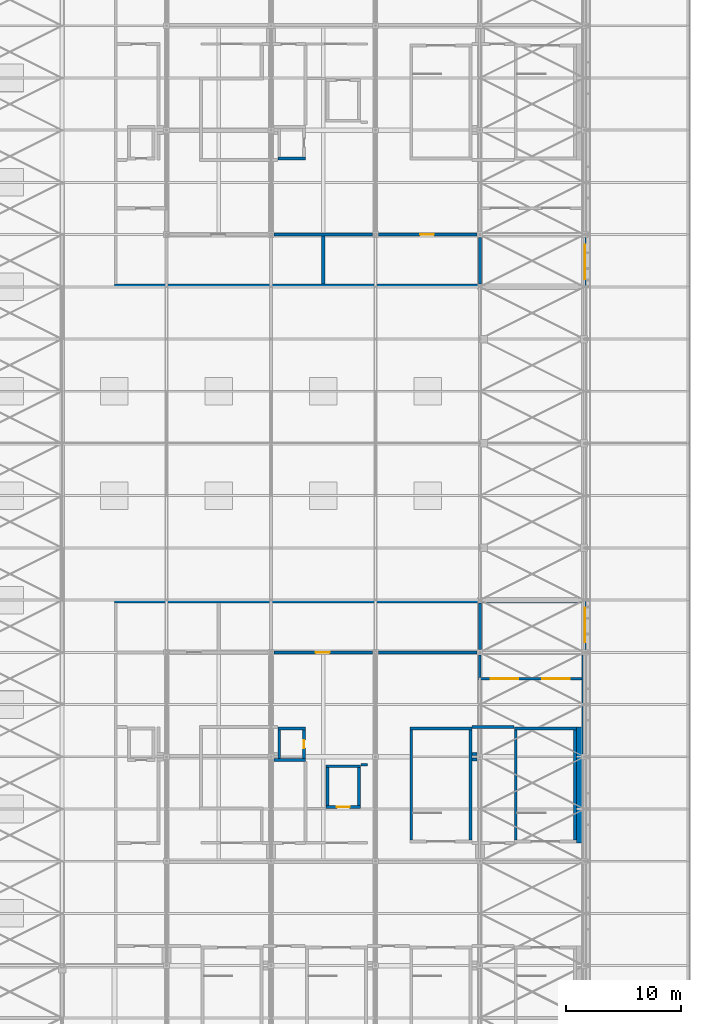
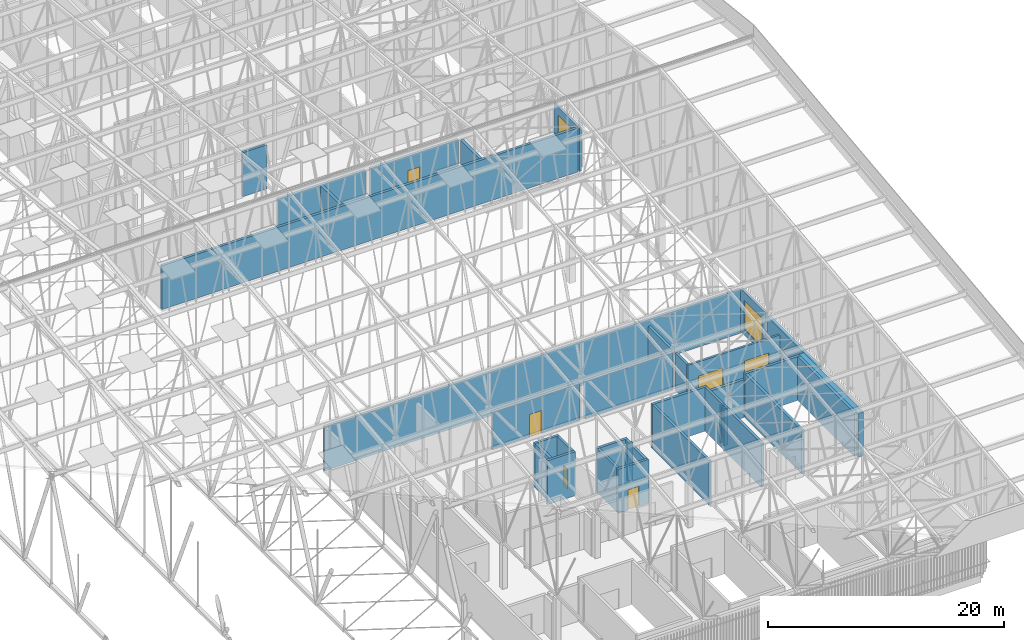
# One storey, part 436 of 500: 34 walls, 6 doors, 2 windows, 8 openings.
"""IFC4 building model written with IfcOpenShell, lengths in metres."""

from ifc_helpers import new_model, si_unit, direction, frame, frame_2d, origin, place, context, subcontext, project, spatial, rectangle, extrude, material, layer, layer_set, type_object, element, fill, save


model = new_model("IFC4")

# Units and contexts
model_context = context("Model", 3, precision=1e-05, world=origin(), true_north=direction((0.0, 1.0)))
body_context = subcontext(model_context, "Body", "Model", "MODEL_VIEW")
ifc_project = project(units=[si_unit("LENGTHUNIT", "METRE"), si_unit("AREAUNIT", "SQUARE_METRE"), si_unit("VOLUMEUNIT", "CUBIC_METRE"), si_unit("PLANEANGLEUNIT", "RADIAN"), si_unit("MASSUNIT", "GRAM", prefix="KILO")], contexts=[model_context])

# Site, building, storey
site_placement = place(None, origin())
site = spatial("IfcSite", under=ifc_project, at=site_placement, CompositionType="ELEMENT")
building_placement = place(site_placement, origin())
building = spatial("IfcBuilding", under=site, at=building_placement, Name="Shirokan Park Arena", CompositionType="ELEMENT")
storey_placement = place(building_placement, frame((0.0, 0.0, 29.1201171875)))
storey = spatial("IfcBuildingStorey", under=building, at=storey_placement, Name="L06", CompositionType="ELEMENT", Elevation=29.1201171875)

# Wall
ifc_material_1 = material(Name="Gypsum board")
ifc_layer_1 = layer(ifc_material_1, 0.02490234375, Name="Gypsum board, two layers")
ifc_material_2 = material(Name="Mineral wool insulation")
ifc_layer_2 = layer(ifc_material_2, 0.14990234375, Name="Mineral wool insulation")
ifc_layer_3 = layer(ifc_material_1, 0.02490234375, Name="Gypsum board, two layers")
ifc_layer_set_1 = layer_set([ifc_layer_1, ifc_layer_2, ifc_layer_3], Name="Gypsum board, two layers + Mineral wool insulation")
wall_type_1 = type_object("IfcWallType", Name="Corridor wall 200", PredefinedType="PARTITIONING", material=ifc_layer_set_1)
wall_1_placement = place(storey_placement, frame((126.1298828125, 26.60009765625, 0.0), z_axis=(0.0, 0.0, 1.0), x_axis=(1.0, 0.0, 0.0)))
element("IfcWall", 1, at=wall_1_placement, inside=storey, type_object=wall_type_1, Name="Corridor wall 200 L06", PredefinedType="PARTITIONING", context=body_context, shape_type="SweptSolid", body=[
    extrude(rectangle(XDim=0.570068359375, YDim=0.199951171875, at=frame_2d((0.28515625, 0.0))), origin(), (0.0, 0.0, 1.0), 3.8798828125),
])

# Wall, openings, doors
wall_2_placement = place(storey_placement, frame((136.39990234375, 34.10009765625, 0.0), z_axis=(0.0, 0.0, 1.0), x_axis=(1.0, 0.0, 0.0)))
wall_2 = element("IfcWall", 2, at=wall_2_placement, inside=storey, type_object=wall_type_1, Name="Corridor wall 200 L06", PredefinedType="PARTITIONING", context=body_context, shape_type="SweptSolid", body=[
    extrude(rectangle(XDim=9.0, YDim=0.199951171875, at=frame_2d((4.5, 0.0))), origin(), (0.0, 0.0, 1.0), 3.8798828125),
])
opening_1_placement = place(wall_2_placement, frame((1.050048828125, 0.0, 0.0)))
opening_1 = element("IfcOpeningElement", 3, at=opening_1_placement, cuts=wall_2, Name="Opening D-6048", PredefinedType="OPENING", context=body_context, shape_type="SweptSolid", body=[
    extrude(rectangle(XDim=2.39990234375, YDim=2.39990234375, at=frame_2d((1.199951171875, 1.199951171875))), frame((0.0, 0.10986328125, 0.0), z_axis=(0.0, -1.0, 0.0), x_axis=(1.0, 0.0, 0.0)), (0.0, 0.0, 1.0), 0.219970703125),
])
opening_2_placement = place(wall_2_placement, frame((5.550048828125, 0.0, 0.0)))
opening_2 = element("IfcOpeningElement", 4, at=opening_2_placement, cuts=wall_2, Name="Opening D-6049", PredefinedType="OPENING", context=body_context, shape_type="SweptSolid", body=[
    extrude(rectangle(XDim=2.39990234375, YDim=2.39990234375, at=frame_2d((1.199951171875, 1.199951171875))), frame((0.0, 0.10986328125, 0.0), z_axis=(0.0, -1.0, 0.0), x_axis=(1.0, 0.0, 0.0)), (0.0, 0.0, 1.0), 0.219970703125),
])
ifc_material_3 = material(Name="Steel door set, fire resisting", Category="steel")
door_type_1 = type_object("IfcDoorType", Name="Double door 2400 x 2400", OperationType="DOUBLE_DOOR_SINGLE_SWING", PredefinedType="DOOR", material=ifc_material_3)
door_1_placement = place(opening_1_placement, origin())
door_1 = element("IfcDoor", 5, at=door_1_placement, inside=storey, type_object=door_type_1, Name="Door between Service Corridor 2.6 and Concourse Link 2.6 D-6048", OperationType="DOUBLE_DOOR_SINGLE_SWING", OverallHeight=2.39990234375, OverallWidth=2.39990234375, PredefinedType="DOOR", context=body_context, shape_type="SweptSolid", body=[
    extrude(rectangle(XDim=2.39990234375, YDim=2.39990234375, at=frame_2d((1.199951171875, 1.199951171875))), frame((0.0, 0.02490234375, 0.0), z_axis=(0.0, -1.0, 0.0), x_axis=(1.0, 0.0, 0.0)), (0.0, 0.0, 1.0), 0.050048828125),
])
fill(opening_1, door_1)
door_2_placement = place(opening_2_placement, origin())
door_2 = element("IfcDoor", 6, at=door_2_placement, inside=storey, type_object=door_type_1, Name="Door between Service Corridor 2.6 and Concourse Link 2.6 D-6049", OperationType="DOUBLE_DOOR_SINGLE_SWING", OverallHeight=2.39990234375, OverallWidth=2.39990234375, PredefinedType="DOOR", context=body_context, shape_type="SweptSolid", body=[
    extrude(rectangle(XDim=2.39990234375, YDim=2.39990234375, at=frame_2d((1.199951171875, 1.199951171875))), frame((0.0, 0.02490234375, 0.0), z_axis=(0.0, -1.0, 0.0), x_axis=(1.0, 0.0, 0.0)), (0.0, 0.0, 1.0), 0.050048828125),
])
fill(opening_2, door_2)

# Walls
wall_3_placement = place(storey_placement, frame((136.5, 36.14990234375, 0.0), z_axis=(0.0, 0.0, 1.0), x_axis=(0.0, -1.0, 0.0)))
element("IfcWall", 7, at=wall_3_placement, inside=storey, type_object=wall_type_1, Name="Corridor wall 200 L06", PredefinedType="PARTITIONING", context=body_context, shape_type="SweptSolid", body=[
    extrude(rectangle(XDim=1.949951171875, YDim=0.199951171875, at=frame_2d((0.97509765625, 0.0))), origin(), (0.0, 0.0, 1.0), 3.8798828125),
])
ifc_material_4 = material(Name="Cedar cladding")
ifc_layer_4 = layer(ifc_material_4, 0.030029296875, Name="Cedar cladding")
ifc_layer_5 = layer(ifc_material_2, 0.10009765625, Name="Mineral wool insulation")
ifc_material_5 = material(Name="Concrete C35", Category="concrete")
ifc_layer_6 = layer(ifc_material_5, 0.199951171875, Name="Concrete C35")
ifc_material_6 = material(Name="Gypsum board lining")
ifc_layer_7 = layer(ifc_material_6, 0.02001953125, Name="Gypsum board lining")
ifc_layer_set_2 = layer_set([ifc_layer_4, ifc_layer_5, ifc_layer_6, ifc_layer_7], Name="Cedar cladding + Mineral wool insulation + Concrete C35 + Gypsum board lining")
wall_type_2 = type_object("IfcWallType", Name="Insulated tower wall 350", PredefinedType="SOLIDWALL", material=ifc_layer_set_2)
wall_4_placement = place(storey_placement, frame((145.574951171875, 27.550048828125, 0.0), z_axis=(0.0, 0.0, 1.0), x_axis=(0.0, 1.0, 0.0)))
element("IfcWall", 8, at=wall_4_placement, inside=storey, type_object=wall_type_2, Name="East facade wall bay 4 L06", PredefinedType="SOLIDWALL", context=body_context, shape_type="SweptSolid", body=[
    extrude(rectangle(XDim=8.599853515625, YDim=0.35009765625, at=frame_2d((4.2998046875, 0.0))), origin(), (0.0, 0.0, 1.0), 4.5),
])

# Wall, opening, window
ifc_layer_8 = layer(ifc_material_5, 0.14990234375, Name="Concrete C35")
ifc_layer_9 = layer(ifc_material_2, 0.050048828125, Name="Mineral wool insulation")
ifc_layer_set_3 = layer_set([ifc_layer_8, ifc_layer_9], Name="Concrete C35 + Mineral wool insulation")
wall_type_3 = type_object("IfcWallType", Name="Plant gallery wall 200", PredefinedType="SOLIDWALL", material=ifc_layer_set_3)
wall_5_placement = place(storey_placement, frame((145.64990234375, 36.64990234375, 0.0), z_axis=(0.0, 0.0, 1.0), x_axis=(0.0, 1.0, 0.0)))
wall_5 = element("IfcWall", 9, at=wall_5_placement, inside=storey, type_object=wall_type_3, Name="East facade wall bay 5 L06", PredefinedType="SOLIDWALL", context=body_context, shape_type="SweptSolid", body=[
    extrude(rectangle(XDim=4.300048828125, YDim=0.199951171875, at=frame_2d((2.14990234375, 0.0))), origin(), (0.0, 0.0, 1.0), 4.5),
])
opening_3_placement = place(wall_5_placement, frame((0.64990234375, 0.0, 0.60009765625)))
opening_3 = element("IfcOpeningElement", 10, at=opening_3_placement, cuts=wall_5, Name="Opening W2", PredefinedType="OPENING", context=body_context, shape_type="SweptSolid", body=[
    extrude(rectangle(XDim=3.0, YDim=3.0, at=frame_2d((1.5, 1.5))), frame((0.0, 0.10986328125, 0.0), z_axis=(0.0, -1.0, 0.0), x_axis=(1.0, 0.0, 0.0)), (0.0, 0.0, 1.0), 0.219970703125),
])
ifc_material_7 = material(Name="Aluminium louvre", Category="aluminium")
window_type = type_object("IfcWindowType", Name="Plant louvre 3000x3000", PartitioningType="DOUBLE_PANEL_VERTICAL", PredefinedType="WINDOW", material=ifc_material_7)
window_1_placement = place(opening_3_placement, origin())
window_1 = element("IfcWindow", 11, at=window_1_placement, inside=storey, type_object=window_type, Name="Plant louvre 3000x3000 east bay 5 L06", OverallHeight=3.0, OverallWidth=3.0, PartitioningType="SINGLE_PANEL", PredefinedType="WINDOW", context=body_context, shape_type="SweptSolid", body=[
    extrude(rectangle(XDim=3.0, YDim=3.0, at=frame_2d((1.5, 1.5))), frame((0.0, 0.030029296875, 0.0), z_axis=(0.0, -1.0, 0.0), x_axis=(1.0, 0.0, 0.0)), (0.0, 0.0, 1.0), 0.06005859375),
])
fill(opening_3, window_1)

wall_6_placement = place(storey_placement, frame((145.64990234375, 68.25, 0.0), z_axis=(0.0, 0.0, 1.0), x_axis=(0.0, 1.0, 0.0)))
wall_6 = element("IfcWall", 12, at=wall_6_placement, inside=storey, type_object=wall_type_3, Name="East facade wall bay 8 L06", PredefinedType="SOLIDWALL", context=body_context, shape_type="SweptSolid", body=[
    extrude(rectangle(XDim=4.300048828125, YDim=0.199951171875, at=frame_2d((2.14990234375, 0.0))), origin(), (0.0, 0.0, 1.0), 4.5),
])
opening_4_placement = place(wall_6_placement, frame((0.64990234375, 0.0, 0.60009765625)))
opening_4 = element("IfcOpeningElement", 13, at=opening_4_placement, cuts=wall_6, Name="Opening W2", PredefinedType="OPENING", context=body_context, shape_type="SweptSolid", body=[
    extrude(rectangle(XDim=3.0, YDim=3.0, at=frame_2d((1.5, 1.5))), frame((0.0, 0.10986328125, 0.0), z_axis=(0.0, -1.0, 0.0), x_axis=(1.0, 0.0, 0.0)), (0.0, 0.0, 1.0), 0.219970703125),
])
window_2_placement = place(opening_4_placement, origin())
window_2 = element("IfcWindow", 14, at=window_2_placement, inside=storey, type_object=window_type, Name="Plant louvre 3000x3000 east bay 8 L06", OverallHeight=3.0, OverallWidth=3.0, PartitioningType="SINGLE_PANEL", PredefinedType="WINDOW", context=body_context, shape_type="SweptSolid", body=[
    extrude(rectangle(XDim=3.0, YDim=3.0, at=frame_2d((1.5, 1.5))), frame((0.0, 0.030029296875, 0.0), z_axis=(0.0, -1.0, 0.0), x_axis=(1.0, 0.0, 0.0)), (0.0, 0.0, 1.0), 0.06005859375),
])
fill(opening_4, window_2)

# Walls
ifc_material_8 = material(Name="Plaster")
ifc_layer_10 = layer(ifc_material_8, 0.012451171875, Name="Plaster")
ifc_material_9 = material(Name="Concrete blockwork", Category="masonry")
ifc_layer_11 = layer(ifc_material_9, 0.25, Name="Concrete blockwork 250")
ifc_layer_12 = layer(ifc_material_8, 0.012451171875, Name="Plaster")
ifc_layer_set_4 = layer_set([ifc_layer_10, ifc_layer_11, ifc_layer_12], Name="Plaster + Concrete blockwork 250")
wall_type_4 = type_object("IfcWallType", Name="Plant room wall 275", PredefinedType="SOLIDWALL", material=ifc_layer_set_4)
wall_7_placement = place(storey_placement, frame((118.550048828125, 72.800048828125, 0.0), z_axis=(0.0, 0.0, 1.0), x_axis=(1.0, 0.0, 0.0)))
element("IfcWall", 15, at=wall_7_placement, inside=storey, type_object=wall_type_4, Name="Plant room wall 275 L06", PredefinedType="SOLIDWALL", context=body_context, shape_type="SweptSolid", body=[
    extrude(rectangle(XDim=8.599853515625, YDim=0.27490234375, at=frame_2d((4.2998046875, 0.0))), origin(), (0.0, 0.0, 1.0), 3.8798828125),
])
wall_8_placement = place(storey_placement, frame((122.85009765625, 68.5, 0.0), z_axis=(0.0, 0.0, 1.0), x_axis=(0.0, 1.0, 0.0)))
element("IfcWall", 16, at=wall_8_placement, inside=storey, type_object=wall_type_4, Name="Plant room wall 275 L06", PredefinedType="SOLIDWALL", context=body_context, shape_type="SweptSolid", body=[
    extrude(rectangle(XDim=4.16259765625, YDim=0.27490234375, at=frame_2d((2.081298828125, 0.0))), origin(), (0.0, 0.0, 1.0), 3.8798828125),
])

# Wall, opening, door
wall_9_placement = place(storey_placement, frame((127.14990234375, 36.39990234375, 0.0), z_axis=(0.0, 0.0, 1.0), x_axis=(-1.0, 0.0, 0.0)))
wall_9 = element("IfcWall", 17, at=wall_9_placement, inside=storey, type_object=wall_type_4, Name="Plant room wall 275 L06", PredefinedType="SOLIDWALL", context=body_context, shape_type="SweptSolid", body=[
    extrude(rectangle(XDim=8.599853515625, YDim=0.27490234375, at=frame_2d((4.2998046875, 0.0))), origin(), (0.0, 0.0, 1.0), 3.8798828125),
])
opening_5_placement = place(wall_9_placement, frame((3.75, 0.0, 0.0)))
opening_5 = element("IfcOpeningElement", 18, at=opening_5_placement, cuts=wall_9, Name="Opening D-6020", PredefinedType="OPENING", context=body_context, shape_type="SweptSolid", body=[
    extrude(rectangle(XDim=1.199951171875, YDim=2.39990234375, at=frame_2d((0.60009765625, 1.199951171875))), frame((0.0, 0.1474609375, 0.0), z_axis=(0.0, -1.0, 0.0), x_axis=(1.0, 0.0, 0.0)), (0.0, 0.0, 1.0), 0.294921875),
])
ifc_material_10 = material(Name="Louvred steel door set, fire resisting", Category="steel")
door_type_2 = type_object("IfcDoorType", Name="Plant room door 1200 x 2400", OperationType="SINGLE_SWING_LEFT", PredefinedType="DOOR", material=ifc_material_10)
door_3_placement = place(opening_5_placement, origin())
door_3 = element("IfcDoor", 19, at=door_3_placement, inside=storey, type_object=door_type_2, Name="Door to Chiller Plant Room 6.21 D-6020", OperationType="SINGLE_SWING_RIGHT", OverallHeight=2.39990234375, OverallWidth=1.199951171875, PredefinedType="DOOR", context=body_context, shape_type="SweptSolid", body=[
    extrude(rectangle(XDim=1.199951171875, YDim=2.39990234375, at=frame_2d((0.60009765625, 1.199951171875))), frame((0.0, 0.02490234375, 0.0), z_axis=(0.0, -1.0, 0.0), x_axis=(1.0, 0.0, 0.0)), (0.0, 0.0, 1.0), 0.050048828125),
])
fill(opening_5, door_3)

wall_10_placement = place(storey_placement, frame((127.64990234375, 72.800048828125, 0.0), z_axis=(0.0, 0.0, 1.0), x_axis=(1.0, 0.0, 0.0)))
wall_10 = element("IfcWall", 20, at=wall_10_placement, inside=storey, type_object=wall_type_4, Name="Plant room wall 275 L06", PredefinedType="SOLIDWALL", context=body_context, shape_type="SweptSolid", body=[
    extrude(rectangle(XDim=8.60009765625, YDim=0.27490234375, at=frame_2d((4.300048828125, 0.0))), origin(), (0.0, 0.0, 1.0), 3.8798828125),
])
opening_6_placement = place(wall_10_placement, frame((3.64990234375, 0.0, 0.0)))
opening_6 = element("IfcOpeningElement", 21, at=opening_6_placement, cuts=wall_10, Name="Opening D-6029", PredefinedType="OPENING", context=body_context, shape_type="SweptSolid", body=[
    extrude(rectangle(XDim=1.199951171875, YDim=2.39990234375, at=frame_2d((0.60009765625, 1.199951171875))), frame((0.0, 0.1474609375, 0.0), z_axis=(0.0, -1.0, 0.0), x_axis=(1.0, 0.0, 0.0)), (0.0, 0.0, 1.0), 0.294921875),
])
door_4_placement = place(opening_6_placement, origin())
door_4 = element("IfcDoor", 22, at=door_4_placement, inside=storey, type_object=door_type_2, Name="Door to Fire Pump and Sprinkler Tank Room 6.31 D-6029", OperationType="SINGLE_SWING_LEFT", OverallHeight=2.39990234375, OverallWidth=1.199951171875, PredefinedType="DOOR", context=body_context, shape_type="SweptSolid", body=[
    extrude(rectangle(XDim=1.199951171875, YDim=2.39990234375, at=frame_2d((0.60009765625, 1.199951171875))), frame((0.0, 0.02490234375, 0.0), z_axis=(0.0, -1.0, 0.0), x_axis=(1.0, 0.0, 0.0)), (0.0, 0.0, 1.0), 0.050048828125),
])
fill(opening_6, door_4)

# Walls
wall_11_placement = place(storey_placement, frame((135.830078125, 27.050048828125, 0.0), z_axis=(0.0, 0.0, 1.0), x_axis=(1.0, 0.0, 0.0)))
element("IfcWall", 23, at=wall_11_placement, inside=storey, type_object=wall_type_4, Name="Plant room wall 275 L06", PredefinedType="SOLIDWALL", context=body_context, shape_type="SweptSolid", body=[
    extrude(rectangle(XDim=0.419921875, YDim=0.27490234375, at=frame_2d((0.2099609375, 0.0))), origin(), (0.0, 0.0, 1.0), 3.8798828125),
])
wall_12_placement = place(storey_placement, frame((135.830078125, 29.89990234375, 0.0), z_axis=(0.0, 0.0, 1.0), x_axis=(1.0, 0.0, 0.0)))
element("IfcWall", 24, at=wall_12_placement, inside=storey, type_object=wall_type_4, Name="Plant room wall 275 L06", PredefinedType="SOLIDWALL", context=body_context, shape_type="SweptSolid", body=[
    extrude(rectangle(XDim=3.639892578125, YDim=0.27490234375, at=frame_2d((1.81982421875, 0.0))), origin(), (0.0, 0.0, 1.0), 3.8798828125),
])
wall_13_placement = place(storey_placement, frame((136.25, 27.550048828125, 0.0), z_axis=(0.0, 0.0, 1.0), x_axis=(-1.0, 0.0, 0.0)))
element("IfcWall", 25, at=wall_13_placement, inside=storey, type_object=wall_type_4, Name="Plant room wall 275 L06", PredefinedType="SOLIDWALL", context=body_context, shape_type="SweptSolid", body=[
    extrude(rectangle(XDim=0.419921875, YDim=0.27490234375, at=frame_2d((0.2099609375, 0.0))), origin(), (0.0, 0.0, 1.0), 3.8798828125),
])
wall_14_placement = place(storey_placement, frame((136.25, 36.39990234375, 0.0), z_axis=(0.0, 0.0, 1.0), x_axis=(-1.0, 0.0, 0.0)))
element("IfcWall", 26, at=wall_14_placement, inside=storey, type_object=wall_type_4, Name="Plant room wall 275 L06", PredefinedType="SOLIDWALL", context=body_context, shape_type="SweptSolid", body=[
    extrude(rectangle(XDim=8.60009765625, YDim=0.27490234375, at=frame_2d((4.300048828125, 0.0))), origin(), (0.0, 0.0, 1.0), 3.8798828125),
])
for number, where, z_axis, x_axis, name in (
    (27, (136.5, 40.699951171875, 0.0), (0.0, 0.0, 1.0), (0.0, -1.0, 0.0), "Plant room wall 275 L06"),
    (28, (136.5, 72.550048828125, 0.0), (0.0, 0.0, 1.0), (0.0, -1.0, 0.0), "Plant room wall 275 L06"),
):
    element("IfcWall", number, at=place(storey_placement, frame(where, z_axis=z_axis, x_axis=x_axis)), inside=storey, type_object=wall_type_4, Name=name, PredefinedType="SOLIDWALL", context=body_context, shape_type="SweptSolid", body=[
        extrude(rectangle(XDim=4.050048828125, YDim=0.27490234375, at=frame_2d((2.02490234375, 0.0))), origin(), (0.0, 0.0, 1.0), 3.8798828125),
    ])
ifc_layer_13 = layer(ifc_material_5, 0.25)
ifc_layer_set_5 = layer_set([ifc_layer_13], Name="Concrete C35 250 mm")
wall_type_5 = type_object("IfcWallType", Name="RC flank wall 250", PredefinedType="SHEAR", material=ifc_layer_set_5)
for number, where, z_axis, x_axis, name in (
    (29, (104.64990234375, 40.824951171875, 0.0), (0.0, 0.0, 1.0), (1.0, 0.0, 0.0), "Flank wall E1 L06"),
    (30, (104.64990234375, 68.375, 0.0), (0.0, 0.0, 1.0), (1.0, 0.0, 0.0), "Flank wall E2 L06"),
):
    element("IfcWall", number, at=place(storey_placement, frame(where, z_axis=z_axis, x_axis=x_axis)), inside=storey, type_object=wall_type_5, Name=name, PredefinedType="SHEAR", context=body_context, shape_type="SweptSolid", body=[
        extrude(rectangle(XDim=40.775146484375, YDim=0.25, at=frame_2d((20.3876953125, 0.0))), origin(), (0.0, 0.0, 1.0), 4.5498046875),
    ])
ifc_material_11 = material(Name="Concrete C40/50", Category="concrete")
ifc_layer_14 = layer(ifc_material_11, 0.25)
ifc_layer_set_6 = layer_set([ifc_layer_14], Name="Concrete C40/50 250 mm")
wall_type_6 = type_object("IfcWallType", Name="RC shear wall 250", PredefinedType="SHEAR", material=ifc_layer_set_6)
wall_15_placement = place(storey_placement, frame((121.300048828125, 27.02490234375, 0.0), z_axis=(0.0, 0.0, 1.0), x_axis=(-1.0, 0.0, 0.0)))
element("IfcWall", 31, at=wall_15_placement, inside=storey, type_object=wall_type_6, Name="Shaft wall Services Riser 2.2 S L06", PredefinedType="SHEAR", context=body_context, shape_type="SweptSolid", body=[
    extrude(rectangle(XDim=2.75, YDim=0.25, at=frame_2d((1.375, 0.0))), origin(), (0.0, 0.0, 1.0), 4.5498046875),
])
wall_16_placement = place(storey_placement, frame((121.300048828125, 29.77490234375, 0.0), z_axis=(0.0, 0.0, 1.0), x_axis=(-1.0, 0.0, 0.0)))
element("IfcWall", 32, at=wall_16_placement, inside=storey, type_object=wall_type_6, Name="Shaft wall Services Riser 2.2 N L06", PredefinedType="SHEAR", context=body_context, shape_type="SweptSolid", body=[
    extrude(rectangle(XDim=2.400146484375, YDim=0.25, at=frame_2d((1.2001953125, 0.0))), origin(), (0.0, 0.0, 1.0), 4.5498046875),
])
wall_17_placement = place(storey_placement, frame((119.02490234375, 29.64990234375, 0.0), z_axis=(0.0, 0.0, 1.0), x_axis=(0.0, -1.0, 0.0)))
element("IfcWall", 33, at=wall_17_placement, inside=storey, type_object=wall_type_6, Name="Shaft wall Services Riser 2.2 W L06", PredefinedType="SHEAR", context=body_context, shape_type="SweptSolid", body=[
    extrude(rectangle(XDim=2.5, YDim=0.25, at=frame_2d((1.25, 0.0))), origin(), (0.0, 0.0, 1.0), 4.5498046875),
])

# Wall, opening, door
wall_18_placement = place(storey_placement, frame((121.175048828125, 29.64990234375, 0.0), z_axis=(0.0, 0.0, 1.0), x_axis=(0.0, -1.0, 0.0)))
wall_18 = element("IfcWall", 34, at=wall_18_placement, inside=storey, type_object=wall_type_6, Name="Shaft wall Services Riser 2.2 E L06", PredefinedType="SHEAR", context=body_context, shape_type="SweptSolid", body=[
    extrude(rectangle(XDim=2.5, YDim=0.25, at=frame_2d((1.25, 0.0))), origin(), (0.0, 0.0, 1.0), 4.5498046875),
])
opening_7_placement = place(wall_18_placement, frame((0.89990234375, 0.0, 0.0)))
opening_7 = element("IfcOpeningElement", 35, at=opening_7_placement, cuts=wall_18, Name="Opening D-6063", PredefinedType="OPENING", context=body_context, shape_type="SweptSolid", body=[
    extrude(rectangle(XDim=0.699951171875, YDim=2.10009765625, at=frame_2d((0.35009765625, 1.050048828125))), frame((0.0, 0.135009765625, 0.0), z_axis=(0.0, -1.0, 0.0), x_axis=(1.0, 0.0, 0.0)), (0.0, 0.0, 1.0), 0.27001953125),
])
door_type_3 = type_object("IfcDoorType", Name="Mechanical riser door 700 x 2100", OperationType="SINGLE_SWING_LEFT", PredefinedType="DOOR", material=ifc_material_3)
door_5_placement = place(opening_7_placement, origin())
door_5 = element("IfcDoor", 36, at=door_5_placement, inside=storey, type_object=door_type_3, Name="Riser access door Services Riser 2.2 D-6063", OperationType="SINGLE_SWING_RIGHT", OverallHeight=2.10009765625, OverallWidth=0.699951171875, PredefinedType="DOOR", context=body_context, shape_type="SweptSolid", body=[
    extrude(rectangle(XDim=0.699951171875, YDim=2.10009765625, at=frame_2d((0.35009765625, 1.050048828125))), frame((0.0, 0.02490234375, 0.0), z_axis=(0.0, -1.0, 0.0), x_axis=(1.0, 0.0, 0.0)), (0.0, 0.0, 1.0), 0.050048828125),
])
fill(opening_7, door_5)

# Wall
wall_19_placement = place(storey_placement, frame((121.300048828125, 79.425048828125, 0.0), z_axis=(0.0, 0.0, 1.0), x_axis=(-1.0, 0.0, 0.0)))
element("IfcWall", 37, at=wall_19_placement, inside=storey, type_object=wall_type_6, Name="Shaft wall Services Riser 3.2 S L06", PredefinedType="SHEAR", context=body_context, shape_type="SweptSolid", body=[
    extrude(rectangle(XDim=2.400146484375, YDim=0.25, at=frame_2d((1.2001953125, 0.0))), origin(), (0.0, 0.0, 1.0), 4.5498046875),
])

# Wall, opening, door
wall_20_placement = place(storey_placement, frame((126.10009765625, 22.925048828125, 0.0), z_axis=(0.0, 0.0, 1.0), x_axis=(-1.0, 0.0, 0.0)))
wall_20 = element("IfcWall", 38, at=wall_20_placement, inside=storey, type_object=wall_type_6, Name="Shaft wall Service Lift 2 S L06", PredefinedType="SHEAR", context=body_context, shape_type="SweptSolid", body=[
    extrude(rectangle(XDim=3.0, YDim=0.25, at=frame_2d((1.5, 0.0))), origin(), (0.0, 0.0, 1.0), 4.5498046875),
])
opening_8_placement = place(wall_20_placement, frame((0.949951171875, 0.0, 0.0)))
opening_8 = element("IfcOpeningElement", 39, at=opening_8_placement, cuts=wall_20, Name="Opening LD62", PredefinedType="OPENING", context=body_context, shape_type="SweptSolid", body=[
    extrude(rectangle(XDim=1.10009765625, YDim=2.10009765625, at=frame_2d((0.550048828125, 1.050048828125))), frame((0.0, 0.135009765625, 0.0), z_axis=(0.0, -1.0, 0.0), x_axis=(1.0, 0.0, 0.0)), (0.0, 0.0, 1.0), 0.27001953125),
])
ifc_material_12 = material(Name="Stainless steel", Category="steel")
door_type_4 = type_object("IfcDoorType", Name="Lift landing door 1100x2100", OperationType="DOUBLE_DOOR_SLIDING", PredefinedType="DOOR", material=ifc_material_12)
door_6_placement = place(opening_8_placement, origin())
door_6 = element("IfcDoor", 40, at=door_6_placement, inside=storey, type_object=door_type_4, Name="Lift landing door Service Lift 2 L06", OperationType="DOUBLE_DOOR_SLIDING", OverallHeight=2.10009765625, OverallWidth=1.10009765625, PredefinedType="DOOR", context=body_context, shape_type="SweptSolid", body=[
    extrude(rectangle(XDim=1.10009765625, YDim=2.10009765625, at=frame_2d((0.550048828125, 1.050048828125))), frame((0.0, 0.02490234375, 0.0), z_axis=(0.0, -1.0, 0.0), x_axis=(1.0, 0.0, 0.0)), (0.0, 0.0, 1.0), 0.050048828125),
])
fill(opening_8, door_6)

# Walls
wall_21_placement = place(storey_placement, frame((126.10009765625, 26.47509765625, 0.0), z_axis=(0.0, 0.0, 1.0), x_axis=(-1.0, 0.0, 0.0)))
element("IfcWall", 41, at=wall_21_placement, inside=storey, type_object=wall_type_6, Name="Shaft wall Service Lift 2 N L06", PredefinedType="SHEAR", context=body_context, shape_type="SweptSolid", body=[
    extrude(rectangle(XDim=3.0, YDim=0.25, at=frame_2d((1.5, 0.0))), origin(), (0.0, 0.0, 1.0), 4.5498046875),
])
for number, where, z_axis, x_axis, name in (
    (42, (123.22509765625, 26.35009765625, 0.0), (0.0, 0.0, 1.0), (0.0, -1.0, 0.0), "Shaft wall Service Lift 2 W L06"),
    (43, (125.97509765625, 26.35009765625, 0.0), (0.0, 0.0, 1.0), (0.0, -1.0, 0.0), "Shaft wall Service Lift 2 E L06"),
):
    element("IfcWall", number, at=place(storey_placement, frame(where, z_axis=z_axis, x_axis=x_axis)), inside=storey, type_object=wall_type_6, Name=name, PredefinedType="SHEAR", context=body_context, shape_type="SweptSolid", body=[
        extrude(rectangle(XDim=3.300048828125, YDim=0.25, at=frame_2d((1.64990234375, 0.0))), origin(), (0.0, 0.0, 1.0), 4.5498046875),
    ])
wall_22_placement = place(storey_placement, frame((144.89990234375, 29.77490234375, 0.0), z_axis=(0.0, 0.0, 1.0), x_axis=(-1.0, 0.0, 0.0)))
element("IfcWall", 44, at=wall_22_placement, inside=storey, type_object=wall_type_6, Name="Shaft wall Exit Stair 2.E N L06", PredefinedType="SHEAR", context=body_context, shape_type="SweptSolid", body=[
    extrude(rectangle(XDim=5.39990234375, YDim=0.25, at=frame_2d((2.699951171875, 0.0))), origin(), (0.0, 0.0, 1.0), 4.5498046875),
])
for number, where, z_axis, x_axis, name in (
    (45, (139.625, 29.64990234375, 0.0), (0.0, 0.0, 1.0), (0.0, -1.0, 0.0), "Shaft wall Exit Stair 2.E W L06"),
    (46, (144.77490234375, 29.64990234375, 0.0), (0.0, 0.0, 1.0), (0.0, -1.0, 0.0), "Shaft wall Exit Stair 2.E E L06"),
):
    element("IfcWall", number, at=place(storey_placement, frame(where, z_axis=z_axis, x_axis=x_axis)), inside=storey, type_object=wall_type_6, Name=name, PredefinedType="SHEAR", context=body_context, shape_type="SweptSolid", body=[
        extrude(rectangle(XDim=9.599853515625, YDim=0.25, at=frame_2d((4.7998046875, 0.0))), origin(), (0.0, 0.0, 1.0), 4.5498046875),
    ])
wall_23_placement = place(storey_placement, frame((135.800048828125, 29.77490234375, 0.0), z_axis=(0.0, 0.0, 1.0), x_axis=(-1.0, 0.0, 0.0)))
element("IfcWall", 47, at=wall_23_placement, inside=storey, type_object=wall_type_6, Name="Shaft wall Exit Stair 2.F N L06", PredefinedType="SHEAR", context=body_context, shape_type="SweptSolid", body=[
    extrude(rectangle(XDim=5.400146484375, YDim=0.25, at=frame_2d((2.7001953125, 0.0))), origin(), (0.0, 0.0, 1.0), 4.5498046875),
])
for number, where, z_axis, x_axis, name in (
    (48, (130.52490234375, 29.64990234375, 0.0), (0.0, 0.0, 1.0), (0.0, -1.0, 0.0), "Shaft wall Exit Stair 2.F W L06"),
    (49, (135.675048828125, 29.64990234375, 0.0), (0.0, 0.0, 1.0), (0.0, -1.0, 0.0), "Shaft wall Exit Stair 2.F E L06"),
):
    element("IfcWall", number, at=place(storey_placement, frame(where, z_axis=z_axis, x_axis=x_axis)), inside=storey, type_object=wall_type_6, Name=name, PredefinedType="SHEAR", context=body_context, shape_type="SweptSolid", body=[
        extrude(rectangle(XDim=9.599853515625, YDim=0.25, at=frame_2d((4.7998046875, 0.0))), origin(), (0.0, 0.0, 1.0), 4.5498046875),
    ])
ifc_layer_15 = layer(ifc_material_5, 0.5)
ifc_layer_set_7 = layer_set([ifc_layer_15], Name="Concrete C35 500 mm")
wall_type_7 = type_object("IfcWallType", Name="Shaft infill wall 500", PredefinedType="SOLIDWALL", material=ifc_layer_set_7)
wall_24_placement = place(storey_placement, frame((145.14990234375, 19.800048828125, 0.0), z_axis=(0.0, 0.0, 1.0), x_axis=(0.0, 1.0, 0.0)))
element("IfcWall", 50, at=wall_24_placement, inside=storey, type_object=wall_type_7, Name="Shaft infill wall L06", PredefinedType="SOLIDWALL", context=body_context, shape_type="SweptSolid", body=[
    extrude(rectangle(XDim=10.099853515625, YDim=0.5, at=frame_2d((5.0498046875, 0.0))), origin(), (0.0, 0.0, 1.0), 4.5498046875),
])

save(model, "model.ifc")
